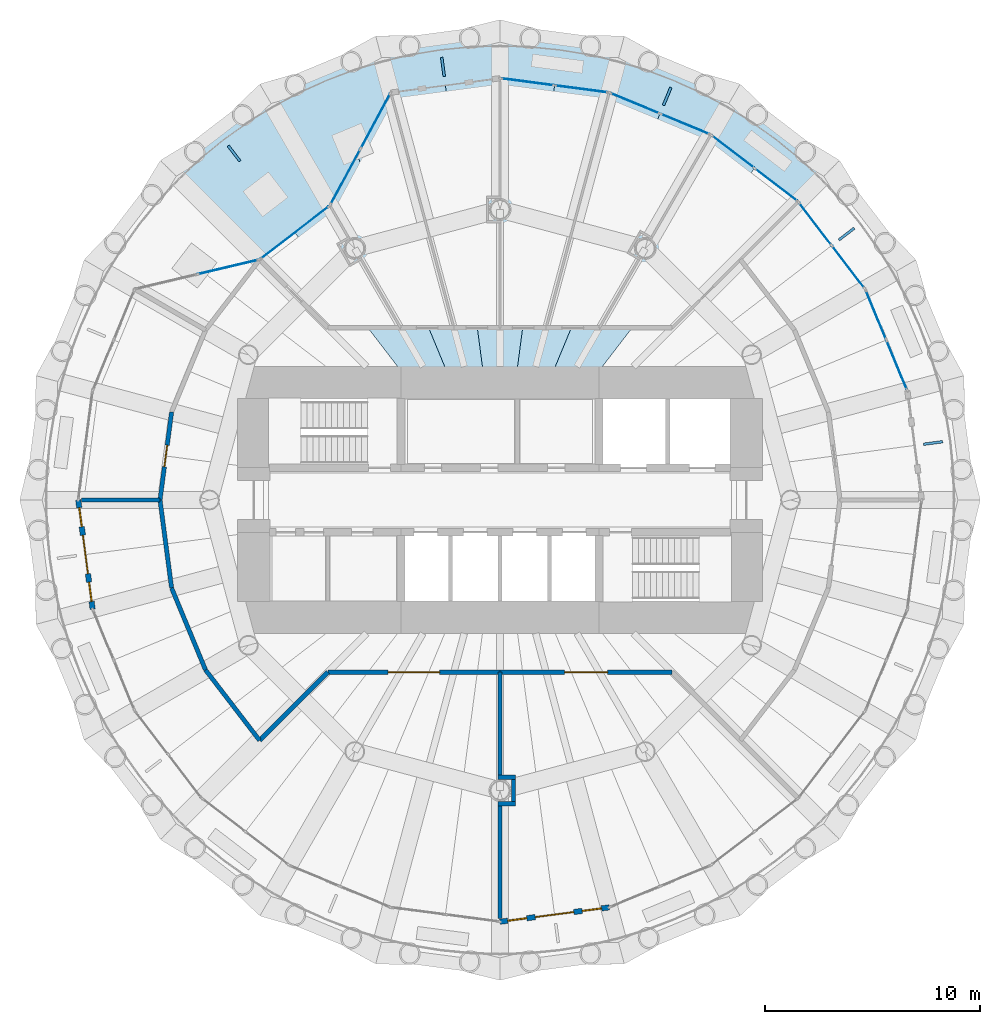
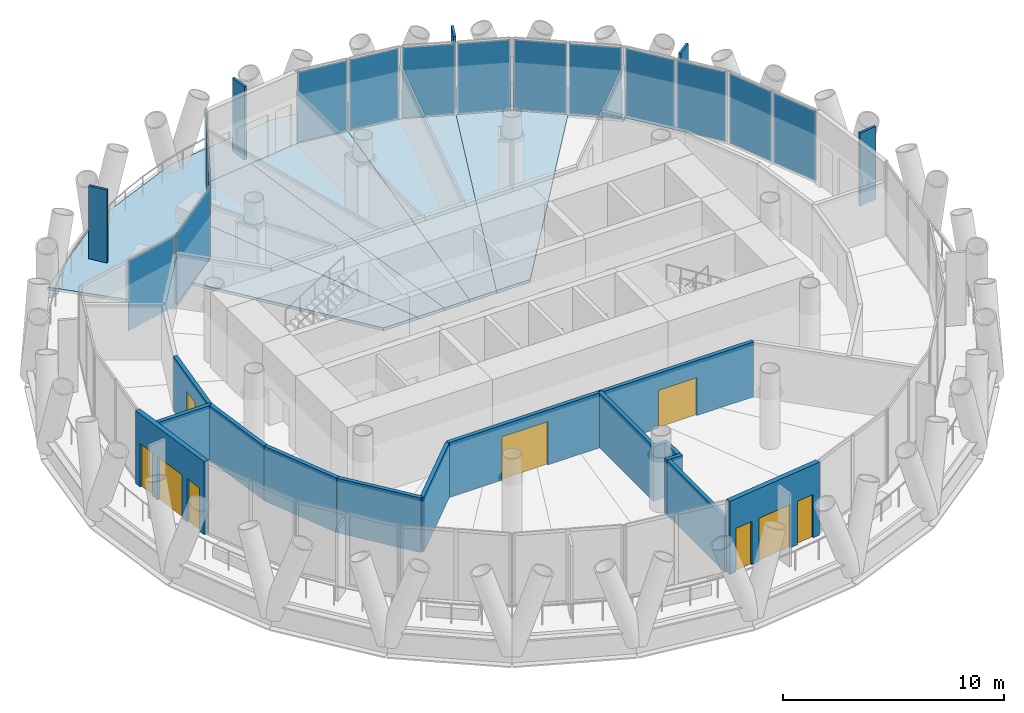
# One storey, part 8 of 14: 19 plates, 15 walls, 6 slabs, 5 doors, 4 windows, 9 openings, 8 elements without a shape of their own.
"""IFC4 building model written with IfcOpenShell, lengths in metres."""

from ifc_helpers import new_model, si_unit, direction, frame, frame_2d, origin, origin_2d, place, context, subcontext, project, spatial, polyline, rectangle, outline, extrude, material, layer, layer_set, type_object, element, fill, aggregate, save


model = new_model("IFC4")

# Units and contexts
model_context = context("Model", 3, precision=1e-05, world=origin(), true_north=direction((0.0, 1.0)))
body_context = subcontext(model_context, "Body", "Model", "MODEL_VIEW")
ifc_project = project(units=[si_unit("LENGTHUNIT", "METRE"), si_unit("AREAUNIT", "SQUARE_METRE"), si_unit("VOLUMEUNIT", "CUBIC_METRE"), si_unit("PLANEANGLEUNIT", "RADIAN"), si_unit("MASSUNIT", "GRAM", prefix="KILO")], contexts=[model_context])

# Site, building, storey
site_placement = place(None, origin())
site = spatial("IfcSite", under=ifc_project, at=site_placement, CompositionType="ELEMENT")
building_placement = place(site_placement, origin())
building = spatial("IfcBuilding", under=site, at=building_placement, Name="Qaws Media Tower", CompositionType="ELEMENT")
storey_placement = place(building_placement, frame((0.0, 0.0, 261.199951171875)))
storey = spatial("IfcBuildingStorey", under=building, at=storey_placement, Name="L60", CompositionType="ELEMENT", Elevation=261.199951171875)

# Slabs
ifc_material_1 = material(Name="Concrete C35/45", Category="concrete")
ifc_layer_1 = layer(ifc_material_1, 0.159912109375)
ifc_layer_set_1 = layer_set([ifc_layer_1], Name="Composite balcony slab 160")
slab_type_1 = type_object("IfcSlabType", Name="Composite balcony slab 160", PredefinedType="FLOOR", material=ifc_layer_set_1)
slab_1_placement = place(storey_placement, frame((0.0, 0.0, -0.159912109375)))
element("IfcSlab", 1, at=slab_1_placement, inside=storey, type_object=slab_type_1, Name="S2 balcony slab L60 R04 to R10, movement joints on R04 and R10", PredefinedType="FLOOR", context=body_context, shape_type="SweptSolid", body=[
    extrude(outline(polyline([(49.10009765625, 68.87939453125), (54.357666015625, 71.05712890625), (60.0, 71.800048828125), (65.642333984375, 71.05712890625), (70.89990234375, 68.87939453125), (75.414794921875, 65.414794921875), (73.859375, 63.859375), (69.800048828125, 66.97412109375), (65.072998046875, 68.93212890625), (60.0, 69.60009765625), (54.927001953125, 68.93212890625), (52.10009765625, 63.68310546875), (48.82763671875, 61.17236328125), (44.585205078125, 65.414794921875), (49.10009765625, 68.87939453125)])), origin(), (0.0, 0.0, 1.0), 0.159912109375),
])
ifc_material_2 = material(Name="Concrete C35/45", Category="concrete")
ifc_layer_2 = layer(ifc_material_2, 0.159912109375)
ifc_layer_set_2 = layer_set([ifc_layer_2], Name="Composite floor slab 160")
slab_type_2 = type_object("IfcSlabType", Name="Composite floor slab 160", PredefinedType="FLOOR", material=ifc_layer_set_2)
slab_2_placement = place(storey_placement, frame((0.0, 0.0, -0.159912109375)))
element("IfcSlab", 2, at=slab_2_placement, inside=storey, type_object=slab_type_2, Name="S1 floor panel L60 on R05", PredefinedType="FLOOR", context=body_context, shape_type="SweptSolid", body=[
    extrude(outline(polyline([(69.800048828125, 66.97412109375), (71.82958984375, 65.416748046875), (63.836669921875, 55.0), (62.071044921875, 55.0), (67.436279296875, 67.953125), (69.800048828125, 66.97412109375)])), origin(), (0.0, 0.0, 1.0), 0.159912109375),
])
slab_3_placement = place(storey_placement, frame((0.0, 0.0, -0.159912109375)))
element("IfcSlab", 3, at=slab_3_placement, inside=storey, type_object=slab_type_2, Name="S1 floor panel L60 on R06", PredefinedType="FLOOR", context=body_context, shape_type="SweptSolid", body=[
    extrude(outline(polyline([(65.072998046875, 68.93212890625), (67.436279296875, 67.953125), (62.071044921875, 55.0), (60.658203125, 55.0), (62.536376953125, 69.26611328125), (65.072998046875, 68.93212890625)])), origin(), (0.0, 0.0, 1.0), 0.159912109375),
])
slab_4_placement = place(storey_placement, frame((0.0, 0.0, -0.159912109375)))
element("IfcSlab", 4, at=slab_4_placement, inside=storey, type_object=slab_type_2, Name="S1 floor panel L60 on R07", PredefinedType="FLOOR", context=body_context, shape_type="SweptSolid", body=[
    extrude(outline(polyline([(60.0, 69.60009765625), (62.536376953125, 69.26611328125), (60.658203125, 55.0), (59.341796875, 55.0), (57.463623046875, 69.26611328125), (60.0, 69.60009765625)])), origin(), (0.0, 0.0, 1.0), 0.159912109375),
])
slab_5_placement = place(storey_placement, frame((0.0, 0.0, -0.159912109375)))
element("IfcSlab", 5, at=slab_5_placement, inside=storey, type_object=slab_type_2, Name="S1 floor panel L60 on R08", PredefinedType="FLOOR", context=body_context, shape_type="SweptSolid", body=[
    extrude(outline(polyline([(54.927001953125, 68.93212890625), (57.463623046875, 69.26611328125), (59.341796875, 55.0), (57.928955078125, 55.0), (53.36181640625, 66.02587890625), (54.927001953125, 68.93212890625)])), origin(), (0.0, 0.0, 1.0), 0.159912109375),
])
slab_6_placement = place(storey_placement, frame((0.0, 0.0, -0.159912109375)))
element("IfcSlab", 6, at=slab_6_placement, inside=storey, type_object=slab_type_2, Name="S1 floor panel L60 on R09", PredefinedType="FLOOR", context=body_context, shape_type="SweptSolid", body=[
    extrude(outline(polyline([(52.10009765625, 63.68310546875), (53.36181640625, 66.02587890625), (57.928955078125, 55.0), (56.163330078125, 55.0), (50.4638671875, 62.427734375), (52.10009765625, 63.68310546875)])), origin(), (0.0, 0.0, 1.0), 0.159912109375),
])

# Curtain wall, plates
ifc_material_3 = material(Name="Aluminium and clear glass", Category="aluminium")
curtain_wall_type_1 = type_object("IfcCurtainWallType", Name="Unitised curtain wall CW-D", PredefinedType="NOTDEFINED", material=ifc_material_3)
curtain_wall_1_placement = place(storey_placement, origin())
curtain_wall_1 = element("IfcCurtainWall", 7, at=curtain_wall_1_placement, inside=storey, type_object=curtain_wall_type_1, Name="CWD curtain wall L60-02", PredefinedType="NOTDEFINED")
ifc_material_4 = material(Name="Clear laminated double glazing", Category="glass")
ifc_layer_3 = layer(ifc_material_4, 0.031982421875)
ifc_layer_set_3 = layer_set([ifc_layer_3], Name="Curtain wall glass unit 32")
plate_type_1 = type_object("IfcPlateType", Name="Curtain wall glass unit 32", PredefinedType="CURTAIN_PANEL", material=ifc_layer_set_3)
plate_1_placement = place(storey_placement, frame((78.43505859375, 56.273193359375, 0.080078125), z_axis=(0.0, 0.0, 1.0), x_axis=(-0.382683365851, 0.923879560063, 0.0)))
plate_1 = element("IfcPlate", 8, at=plate_1_placement, type_object=plate_type_1, Name="CWD panel 1.1", PredefinedType="CURTAIN_PANEL", context=body_context, shape_type="SweptSolid", body=[
    extrude(rectangle(XDim=2.438232421875, YDim=0.031982421875, at=origin_2d()), origin(), (0.0, 0.0, 1.0), 3.8798828125),
])
plate_2_placement = place(storey_placement, frame((77.47119140625, 58.599853515625, 0.080078125), z_axis=(0.0, 0.0, 1.0), x_axis=(-0.382683365851, 0.923879560063, 0.0)))
plate_2 = element("IfcPlate", 9, at=plate_2_placement, type_object=plate_type_1, Name="CWD panel 2.1", PredefinedType="CURTAIN_PANEL", context=body_context, shape_type="SweptSolid", body=[
    extrude(rectangle(XDim=2.438232421875, YDim=0.031982421875, at=origin_2d()), origin(), (0.0, 0.0, 1.0), 3.8798828125),
])
aggregate(curtain_wall_1, [plate_1, plate_2])

curtain_wall_2_placement = place(storey_placement, origin())
curtain_wall_2 = element("IfcCurtainWall", 10, at=curtain_wall_2_placement, inside=storey, type_object=curtain_wall_type_1, Name="CWD curtain wall L60-03", PredefinedType="NOTDEFINED")
plate_3_placement = place(storey_placement, frame((76.18310546875, 60.830810546875, 0.080078125), z_axis=(0.0, 0.0, 1.0), x_axis=(-0.608761420271, 0.793353346996, 0.0)))
plate_3 = element("IfcPlate", 11, at=plate_3_placement, type_object=plate_type_1, Name="CWD panel 1.1", PredefinedType="CURTAIN_PANEL", context=body_context, shape_type="SweptSolid", body=[
    extrude(rectangle(XDim=2.438232421875, YDim=0.031982421875, at=origin_2d()), origin(), (0.0, 0.0, 1.0), 3.8798828125),
])
plate_4_placement = place(storey_placement, frame((74.650146484375, 62.82861328125, 0.080078125), z_axis=(0.0, 0.0, 1.0), x_axis=(-0.608761420271, 0.793353346996, 0.0)))
plate_4 = element("IfcPlate", 12, at=plate_4_placement, type_object=plate_type_1, Name="CWD panel 2.1", PredefinedType="CURTAIN_PANEL", context=body_context, shape_type="SweptSolid", body=[
    extrude(rectangle(XDim=2.438232421875, YDim=0.031982421875, at=origin_2d()), origin(), (0.0, 0.0, 1.0), 3.8798828125),
])
aggregate(curtain_wall_2, [plate_3, plate_4])

curtain_wall_3_placement = place(storey_placement, origin())
curtain_wall_3 = element("IfcCurtainWall", 13, at=curtain_wall_3_placement, inside=storey, type_object=curtain_wall_type_1, Name="CWD curtain wall L60-04", PredefinedType="NOTDEFINED")
plate_5_placement = place(storey_placement, frame((72.82861328125, 64.650146484375, 0.080078125), z_axis=(0.0, 0.0, 1.0), x_axis=(-0.793353346996, 0.608761420271, 0.0)))
plate_5 = element("IfcPlate", 14, at=plate_5_placement, type_object=plate_type_1, Name="CWD panel 1.1", PredefinedType="CURTAIN_PANEL", context=body_context, shape_type="SweptSolid", body=[
    extrude(rectangle(XDim=2.438232421875, YDim=0.031982421875, at=origin_2d()), origin(), (0.0, 0.0, 1.0), 3.8798828125),
])
plate_6_placement = place(storey_placement, frame((70.830810546875, 66.18310546875, 0.080078125), z_axis=(0.0, 0.0, 1.0), x_axis=(-0.793353346996, 0.608761420271, 0.0)))
plate_6 = element("IfcPlate", 15, at=plate_6_placement, type_object=plate_type_1, Name="CWD panel 2.1", PredefinedType="CURTAIN_PANEL", context=body_context, shape_type="SweptSolid", body=[
    extrude(rectangle(XDim=2.438232421875, YDim=0.031982421875, at=origin_2d()), origin(), (0.0, 0.0, 1.0), 3.8798828125),
])
aggregate(curtain_wall_3, [plate_5, plate_6])

curtain_wall_4_placement = place(storey_placement, origin())
curtain_wall_4 = element("IfcCurtainWall", 16, at=curtain_wall_4_placement, inside=storey, type_object=curtain_wall_type_1, Name="CWD curtain wall L60-05", PredefinedType="NOTDEFINED")
plate_7_placement = place(storey_placement, frame((68.599853515625, 67.47119140625, 0.080078125), z_axis=(0.0, 0.0, 1.0), x_axis=(-0.923879560063, 0.382683365851, 0.0)))
plate_7 = element("IfcPlate", 17, at=plate_7_placement, type_object=plate_type_1, Name="CWD panel 1.1", PredefinedType="CURTAIN_PANEL", context=body_context, shape_type="SweptSolid", body=[
    extrude(rectangle(XDim=2.438232421875, YDim=0.031982421875, at=origin_2d()), origin(), (0.0, 0.0, 1.0), 3.8798828125),
])
plate_8_placement = place(storey_placement, frame((66.273193359375, 68.43505859375, 0.080078125), z_axis=(0.0, 0.0, 1.0), x_axis=(-0.923879560063, 0.382683365851, 0.0)))
plate_8 = element("IfcPlate", 18, at=plate_8_placement, type_object=plate_type_1, Name="CWD panel 2.1", PredefinedType="CURTAIN_PANEL", context=body_context, shape_type="SweptSolid", body=[
    extrude(rectangle(XDim=2.438232421875, YDim=0.031982421875, at=origin_2d()), origin(), (0.0, 0.0, 1.0), 3.8798828125),
])
aggregate(curtain_wall_4, [plate_7, plate_8])

curtain_wall_5_placement = place(storey_placement, origin())
curtain_wall_5 = element("IfcCurtainWall", 19, at=curtain_wall_5_placement, inside=storey, type_object=curtain_wall_type_1, Name="CWD curtain wall L60-06", PredefinedType="NOTDEFINED")
plate_9_placement = place(storey_placement, frame((63.784912109375, 69.101806640625, 0.080078125), z_axis=(0.0, 0.0, 1.0), x_axis=(-0.991444855489, 0.130526236916, 0.0)))
plate_9 = element("IfcPlate", 20, at=plate_9_placement, type_object=plate_type_1, Name="CWD panel 1.1", PredefinedType="CURTAIN_PANEL", context=body_context, shape_type="SweptSolid", body=[
    extrude(rectangle(XDim=2.438232421875, YDim=0.031982421875, at=origin_2d()), origin(), (0.0, 0.0, 1.0), 3.8798828125),
])
plate_10_placement = place(storey_placement, frame((61.2880859375, 69.430419921875, 0.080078125), z_axis=(0.0, 0.0, 1.0), x_axis=(-0.991444855489, 0.130526236916, 0.0)))
plate_10 = element("IfcPlate", 21, at=plate_10_placement, type_object=plate_type_1, Name="CWD panel 2.1", PredefinedType="CURTAIN_PANEL", context=body_context, shape_type="SweptSolid", body=[
    extrude(rectangle(XDim=2.438232421875, YDim=0.031982421875, at=origin_2d()), origin(), (0.0, 0.0, 1.0), 3.8798828125),
])
aggregate(curtain_wall_5, [plate_9, plate_10])

ifc_material_5 = material(Name="Aluminium and clear glass", Category="aluminium")
curtain_wall_type_2 = type_object("IfcCurtainWallType", Name="Loggia curtain wall CW-G", PredefinedType="NOTDEFINED", material=ifc_material_5)
curtain_wall_6_placement = place(storey_placement, origin())
curtain_wall_6 = element("IfcCurtainWall", 22, at=curtain_wall_6_placement, inside=storey, type_object=curtain_wall_type_2, Name="CWG curtain wall L60-08", PredefinedType="NOTDEFINED")
plate_11_placement = place(storey_placement, frame((54.2109375, 67.602294921875, 0.080078125), z_axis=(0.0, 0.0, 1.0), x_axis=(-0.474202804112, -0.880415640804, 0.0)))
plate_11 = element("IfcPlate", 23, at=plate_11_placement, type_object=plate_type_1, Name="CWG panel 1.1", PredefinedType="CURTAIN_PANEL", context=body_context, shape_type="SweptSolid", body=[
    extrude(rectangle(XDim=2.86083984375, YDim=0.031982421875, at=origin_2d()), origin(), (0.0, 0.0, 1.0), 3.8798828125),
])
plate_12_placement = place(storey_placement, frame((52.816162109375, 65.012939453125, 0.080078125), z_axis=(0.0, 0.0, 1.0), x_axis=(-0.474202804112, -0.880415640804, 0.0)))
plate_12 = element("IfcPlate", 24, at=plate_12_placement, type_object=plate_type_1, Name="CWG panel 2.1", PredefinedType="CURTAIN_PANEL", context=body_context, shape_type="SweptSolid", body=[
    extrude(rectangle(XDim=2.86083984375, YDim=0.031982421875, at=origin_2d()), origin(), (0.0, 0.0, 1.0), 3.8798828125),
])
aggregate(curtain_wall_6, [plate_11, plate_12])

# Curtain wall, plate
curtain_wall_7_placement = place(storey_placement, origin())
curtain_wall_7 = element("IfcCurtainWall", 25, at=curtain_wall_7_placement, inside=storey, type_object=curtain_wall_type_2, Name="CWG curtain wall L60-09", PredefinedType="NOTDEFINED")
plate_13_placement = place(storey_placement, frame((50.4638671875, 62.427734375, 0.080078125), z_axis=(0.0, 0.0, 1.0), x_axis=(-0.793353355219, -0.608761409554, 0.0)))
plate_13 = element("IfcPlate", 26, at=plate_13_placement, type_object=plate_type_1, Name="CWG panel 1.1", PredefinedType="CURTAIN_PANEL", context=body_context, shape_type="SweptSolid", body=[
    extrude(rectangle(XDim=3.964599609375, YDim=0.031982421875, at=origin_2d()), origin(), (0.0, 0.0, 1.0), 3.8798828125),
])
aggregate(curtain_wall_7, [plate_13])

curtain_wall_8_placement = place(storey_placement, origin())
curtain_wall_8 = element("IfcCurtainWall", 27, at=curtain_wall_8_placement, inside=storey, type_object=curtain_wall_type_2, Name="CWG curtain wall L60-10", PredefinedType="NOTDEFINED")
plate_14_placement = place(storey_placement, frame((47.35791015625, 60.82470703125, 0.080078125), z_axis=(0.0, 0.0, 1.0), x_axis=(-0.973148935934, -0.230176342162, 0.0)))
plate_14 = element("IfcPlate", 28, at=plate_14_placement, type_object=plate_type_1, Name="CWG panel 1.1", PredefinedType="CURTAIN_PANEL", context=body_context, shape_type="SweptSolid", body=[
    extrude(rectangle(XDim=2.86083984375, YDim=0.031982421875, at=origin_2d()), origin(), (0.0, 0.0, 1.0), 3.8798828125),
])
aggregate(curtain_wall_8, [plate_14])

# Plates
ifc_material_6 = material(Name="Precast concrete screen fin", Category="concrete")
ifc_layer_4 = layer(ifc_material_6, 0.1201171875)
ifc_layer_set_4 = layer_set([ifc_layer_4], Name="Screen fin 120x900")
plate_type_2 = type_object("IfcPlateType", Name="Screen fin 120x900", PredefinedType="USERDEFINED", material=ifc_layer_set_4)
for number, where, z_axis, x_axis, name in (
    (29, (80.126220703125, 52.649658203125, 0.0), (0.0, 0.0, 1.0), (0.991444861374, 0.13052619222, 0.0), "SCR1 screen fin L60-01"),
    (30, (76.10498046875, 62.35791015625, 0.0), (0.0, 0.0, 1.0), (0.793353340291, 0.608761429009, 0.0), "SCR1 screen fin L60-02"),
    (31, (67.7685546875, 68.754638671875, 0.0), (0.0, 0.0, 1.0), (0.382683432365, 0.923879532511, 0.0), "SCR1 screen fin L60-03"),
    (32, (57.350341796875, 70.126220703125, 0.0), (0.0, 0.0, 1.0), (-0.13052619222, 0.991444861374, 0.0), "SCR1 screen fin L60-04"),
    (33, (47.64208984375, 66.10498046875, 0.0), (0.0, 0.0, 1.0), (-0.608761429009, 0.793353340291, 0.0), "SCR1 screen fin L60-05"),
):
    element("IfcPlate", number, at=place(storey_placement, frame(where, z_axis=z_axis, x_axis=x_axis)), inside=storey, type_object=plate_type_2, Name=name, ObjectType="SCREEN", PredefinedType="USERDEFINED", context=body_context, shape_type="SweptSolid", body=[
        extrude(rectangle(XDim=0.89990234375, YDim=0.1201171875, at=origin_2d()), origin(), (0.0, 0.0, 1.0), 4.0400390625),
    ])

# Wall, openings, door, windows
ifc_material_7 = material(Name="Precast concrete, exposed finish", Category="concrete")
ifc_layer_5 = layer(ifc_material_7, 0.25)
ifc_layer_set_5 = layer_set([ifc_layer_5], Name="Balcony door wall 250")
wall_type_1 = type_object("IfcWallType", Name="Balcony door wall 250", PredefinedType="SOLIDWALL", material=ifc_layer_set_5)
wall_1_placement = place(storey_placement, frame((40.39990234375, 50.0, 0.0), z_axis=(0.0, 0.0, 1.0), x_axis=(0.130550788349, -0.991441622922, 0.0)))
wall_1 = element("IfcWall", 34, at=wall_1_placement, inside=storey, type_object=wall_type_1, Name="W276 EW1 balcony door wall L60-13", PredefinedType="SOLIDWALL", context=body_context, shape_type="SweptSolid", body=[
    extrude(rectangle(XDim=5.116455078125, YDim=0.25, at=frame_2d((2.55810546875, 0.0))), origin(), (0.0, 0.0, 1.0), 4.0400390625),
])
opening_1_placement = place(wall_1_placement, frame((1.658203125, 0.0, 0.0)))
opening_1 = element("IfcOpeningElement", 35, at=opening_1_placement, cuts=wall_1, Name="Opening D7", PredefinedType="OPENING", context=body_context, shape_type="SweptSolid", body=[
    extrude(rectangle(XDim=1.800048828125, YDim=2.39990234375, at=frame_2d((0.89990234375, 1.199951171875))), frame((0.0, 0.135009765625, 0.0), z_axis=(0.0, -1.0, 0.0), x_axis=(1.0, 0.0, 0.0)), (0.0, 0.0, 1.0), 0.27001953125),
])
opening_2_placement = place(wall_1_placement, frame((0.3583984375, 0.0, 0.0)))
opening_2 = element("IfcOpeningElement", 36, at=opening_2_placement, cuts=wall_1, Name="Opening W7", PredefinedType="OPENING", context=body_context, shape_type="SweptSolid", body=[
    extrude(rectangle(XDim=0.89990234375, YDim=2.39990234375, at=frame_2d((0.449951171875, 1.199951171875))), frame((0.0, 0.135009765625, 0.0), z_axis=(0.0, -1.0, 0.0), x_axis=(1.0, 0.0, 0.0)), (0.0, 0.0, 1.0), 0.27001953125),
])
opening_3_placement = place(wall_1_placement, frame((3.8583984375, 0.0, 0.0)))
opening_3 = element("IfcOpeningElement", 37, at=opening_3_placement, cuts=wall_1, Name="Opening W7", PredefinedType="OPENING", context=body_context, shape_type="SweptSolid", body=[
    extrude(rectangle(XDim=0.89990234375, YDim=2.39990234375, at=frame_2d((0.449951171875, 1.199951171875))), frame((0.0, 0.135009765625, 0.0), z_axis=(0.0, -1.0, 0.0), x_axis=(1.0, 0.0, 0.0)), (0.0, 0.0, 1.0), 0.27001953125),
])
ifc_material_8 = material(Name="Aluminium and clear glass", Category="aluminium")
door_type_1 = type_object("IfcDoorType", Name="Balcony door pair 1800", OperationType="DOUBLE_DOOR_SLIDING", PredefinedType="DOOR", material=ifc_material_8)
door_1_placement = place(opening_1_placement, origin())
door_1 = element("IfcDoor", 38, at=door_1_placement, inside=storey, type_object=door_type_1, Name="D7 balcony door L60-13 in wall W276", OperationType="DOUBLE_DOOR_SLIDING", OverallHeight=2.39990234375, OverallWidth=1.800048828125, PredefinedType="DOOR", context=body_context, shape_type="SweptSolid", body=[
    extrude(rectangle(XDim=1.800048828125, YDim=2.39990234375, at=frame_2d((0.89990234375, 1.199951171875))), frame((0.0, 0.02490234375, 0.0), z_axis=(0.0, -1.0, 0.0), x_axis=(1.0, 0.0, 0.0)), (0.0, 0.0, 1.0), 0.050048828125),
])
fill(opening_1, door_1)
ifc_material_9 = material(Name="Aluminium and clear glass", Category="aluminium")
window_type = type_object("IfcWindowType", Name="Balcony side window 900", PartitioningType="SINGLE_PANEL", PredefinedType="WINDOW", material=ifc_material_9)
window_1_placement = place(opening_2_placement, origin())
window_1 = element("IfcWindow", 39, at=window_1_placement, inside=storey, type_object=window_type, Name="W1 balcony side light L60-13L", OverallHeight=2.39990234375, OverallWidth=0.89990234375, PartitioningType="SINGLE_PANEL", PredefinedType="WINDOW", context=body_context, shape_type="SweptSolid", body=[
    extrude(rectangle(XDim=0.89990234375, YDim=2.39990234375, at=frame_2d((0.449951171875, 1.199951171875))), frame((0.0, 0.030029296875, 0.0), z_axis=(0.0, -1.0, 0.0), x_axis=(1.0, 0.0, 0.0)), (0.0, 0.0, 1.0), 0.06005859375),
])
fill(opening_2, window_1)
window_2_placement = place(opening_3_placement, origin())
window_2 = element("IfcWindow", 40, at=window_2_placement, inside=storey, type_object=window_type, Name="W1 balcony side light L60-13R", OverallHeight=2.39990234375, OverallWidth=0.89990234375, PartitioningType="SINGLE_PANEL", PredefinedType="WINDOW", context=body_context, shape_type="SweptSolid", body=[
    extrude(rectangle(XDim=0.89990234375, YDim=2.39990234375, at=frame_2d((0.449951171875, 1.199951171875))), frame((0.0, 0.030029296875, 0.0), z_axis=(0.0, -1.0, 0.0), x_axis=(1.0, 0.0, 0.0)), (0.0, 0.0, 1.0), 0.06005859375),
])
fill(opening_3, window_2)

wall_2_placement = place(storey_placement, frame((60.0, 30.39990234375, 0.0), z_axis=(0.0, 0.0, 1.0), x_axis=(0.991441622922, 0.130550788349, 0.0)))
wall_2 = element("IfcWall", 41, at=wall_2_placement, inside=storey, type_object=wall_type_1, Name="W277 EW1 balcony door wall L60-19", PredefinedType="SOLIDWALL", context=body_context, shape_type="SweptSolid", body=[
    extrude(rectangle(XDim=5.116455078125, YDim=0.25, at=frame_2d((2.55810546875, 0.0))), origin(), (0.0, 0.0, 1.0), 4.0400390625),
])
opening_4_placement = place(wall_2_placement, frame((1.658203125, 0.0, 0.0)))
opening_4 = element("IfcOpeningElement", 42, at=opening_4_placement, cuts=wall_2, Name="Opening D7", PredefinedType="OPENING", context=body_context, shape_type="SweptSolid", body=[
    extrude(rectangle(XDim=1.800048828125, YDim=2.39990234375, at=frame_2d((0.89990234375, 1.199951171875))), frame((0.0, 0.135009765625, 0.0), z_axis=(0.0, -1.0, 0.0), x_axis=(1.0, 0.0, 0.0)), (0.0, 0.0, 1.0), 0.27001953125),
])
opening_5_placement = place(wall_2_placement, frame((0.3583984375, 0.0, 0.0)))
opening_5 = element("IfcOpeningElement", 43, at=opening_5_placement, cuts=wall_2, Name="Opening W7", PredefinedType="OPENING", context=body_context, shape_type="SweptSolid", body=[
    extrude(rectangle(XDim=0.89990234375, YDim=2.39990234375, at=frame_2d((0.449951171875, 1.199951171875))), frame((0.0, 0.135009765625, 0.0), z_axis=(0.0, -1.0, 0.0), x_axis=(1.0, 0.0, 0.0)), (0.0, 0.0, 1.0), 0.27001953125),
])
opening_6_placement = place(wall_2_placement, frame((3.8583984375, 0.0, 0.0)))
opening_6 = element("IfcOpeningElement", 44, at=opening_6_placement, cuts=wall_2, Name="Opening W7", PredefinedType="OPENING", context=body_context, shape_type="SweptSolid", body=[
    extrude(rectangle(XDim=0.89990234375, YDim=2.39990234375, at=frame_2d((0.449951171875, 1.199951171875))), frame((0.0, 0.135009765625, 0.0), z_axis=(0.0, -1.0, 0.0), x_axis=(1.0, 0.0, 0.0)), (0.0, 0.0, 1.0), 0.27001953125),
])
door_2_placement = place(opening_4_placement, origin())
door_2 = element("IfcDoor", 45, at=door_2_placement, inside=storey, type_object=door_type_1, Name="D7 balcony door L60-19 in wall W277", OperationType="DOUBLE_DOOR_SLIDING", OverallHeight=2.39990234375, OverallWidth=1.800048828125, PredefinedType="DOOR", context=body_context, shape_type="SweptSolid", body=[
    extrude(rectangle(XDim=1.800048828125, YDim=2.39990234375, at=frame_2d((0.89990234375, 1.199951171875))), frame((0.0, 0.02490234375, 0.0), z_axis=(0.0, -1.0, 0.0), x_axis=(1.0, 0.0, 0.0)), (0.0, 0.0, 1.0), 0.050048828125),
])
fill(opening_4, door_2)
window_3_placement = place(opening_5_placement, origin())
window_3 = element("IfcWindow", 46, at=window_3_placement, inside=storey, type_object=window_type, Name="W1 balcony side light L60-19L", OverallHeight=2.39990234375, OverallWidth=0.89990234375, PartitioningType="SINGLE_PANEL", PredefinedType="WINDOW", context=body_context, shape_type="SweptSolid", body=[
    extrude(rectangle(XDim=0.89990234375, YDim=2.39990234375, at=frame_2d((0.449951171875, 1.199951171875))), frame((0.0, 0.030029296875, 0.0), z_axis=(0.0, -1.0, 0.0), x_axis=(1.0, 0.0, 0.0)), (0.0, 0.0, 1.0), 0.06005859375),
])
fill(opening_5, window_3)
window_4_placement = place(opening_6_placement, origin())
window_4 = element("IfcWindow", 47, at=window_4_placement, inside=storey, type_object=window_type, Name="W1 balcony side light L60-19R", OverallHeight=2.39990234375, OverallWidth=0.89990234375, PartitioningType="SINGLE_PANEL", PredefinedType="WINDOW", context=body_context, shape_type="SweptSolid", body=[
    extrude(rectangle(XDim=0.89990234375, YDim=2.39990234375, at=frame_2d((0.449951171875, 1.199951171875))), frame((0.0, 0.030029296875, 0.0), z_axis=(0.0, -1.0, 0.0), x_axis=(1.0, 0.0, 0.0)), (0.0, 0.0, 1.0), 0.06005859375),
])
fill(opening_6, window_4)

# Walls
ifc_material_10 = material(Name="Gypsum board on galvanised metal studs, acoustic double stud, deflection head", Category="gypsum")
ifc_layer_6 = layer(ifc_material_10, 0.199951171875)
ifc_layer_set_6 = layer_set([ifc_layer_6], Name="Room partition 200")
wall_type_2 = type_object("IfcWallType", Name="Room partition 200", PredefinedType="PARTITIONING", material=ifc_layer_set_6)
wall_3_placement = place(storey_placement, frame((52.0, 42.0, 0.0), z_axis=(0.0, 0.0, 1.0), x_axis=(-0.707106781187, -0.707106781187, 0.0)))
element("IfcWall", 48, at=wall_3_placement, inside=storey, type_object=wall_type_2, Name="W1716 IW3 partition L60", PredefinedType="PARTITIONING", context=body_context, shape_type="SweptSolid", body=[
    extrude(rectangle(XDim=4.486328125, YDim=0.199951171875, at=frame_2d((2.2431640625, 0.0))), origin(), (0.0, 0.0, 1.0), 3.02001953125),
])
wall_4_placement = place(storey_placement, frame((48.82763671875, 38.82763671875, 0.0), z_axis=(0.0, 0.0, 1.0), x_axis=(-0.608714823874, 0.793389099494, 0.0)))
element("IfcWall", 49, at=wall_4_placement, inside=storey, type_object=wall_type_2, Name="W1714 IW3 partition L60", PredefinedType="PARTITIONING", context=body_context, shape_type="SweptSolid", body=[
    extrude(rectangle(XDim=4.124755859375, YDim=0.199951171875, at=frame_2d((2.0625, 0.0))), origin(), (0.0, 0.0, 1.0), 3.02001953125),
])
wall_5_placement = place(storey_placement, frame((46.31689453125, 42.10009765625, 0.0), z_axis=(0.0, 0.0, 1.0), x_axis=(-0.382731667114, 0.923859551549, 0.0)))
element("IfcWall", 50, at=wall_5_placement, inside=storey, type_object=wall_type_2, Name="W1711 IW3 partition L60", PredefinedType="PARTITIONING", context=body_context, shape_type="SweptSolid", body=[
    extrude(rectangle(XDim=4.12451171875, YDim=0.199951171875, at=frame_2d((2.062255859375, 0.0))), origin(), (0.0, 0.0, 1.0), 3.02001953125),
])
wall_6_placement = place(storey_placement, frame((44.73828125, 45.91064453125, 0.0), z_axis=(0.0, 0.0, 1.0), x_axis=(-0.130515758099, 0.991446234996, 0.0)))
element("IfcWall", 51, at=wall_6_placement, inside=storey, type_object=wall_type_2, Name="W1709 IW3 partition L60", PredefinedType="PARTITIONING", context=body_context, shape_type="SweptSolid", body=[
    extrude(rectangle(XDim=4.124755859375, YDim=0.199951171875, at=frame_2d((2.0625, 0.0))), origin(), (0.0, 0.0, 1.0), 3.02001953125),
])

# Wall, opening, door
wall_7_placement = place(storey_placement, frame((44.199951171875, 50.0, 0.0), z_axis=(0.0, 0.0, 1.0), x_axis=(0.130515758099, 0.991446234996, 0.0)))
wall_7 = element("IfcWall", 52, at=wall_7_placement, inside=storey, type_object=wall_type_2, Name="W1708 IW3 partition L60", PredefinedType="PARTITIONING", context=body_context, shape_type="SweptSolid", body=[
    extrude(rectangle(XDim=4.124755859375, YDim=0.199951171875, at=frame_2d((2.0625, 0.0))), origin(), (0.0, 0.0, 1.0), 3.02001953125),
])
opening_7_placement = place(wall_7_placement, frame((1.562255859375, 0.0, 0.0)))
opening_7 = element("IfcOpeningElement", 53, at=opening_7_placement, cuts=wall_7, Name="Opening D5", PredefinedType="OPENING", context=body_context, shape_type="SweptSolid", body=[
    extrude(rectangle(XDim=1.0, YDim=2.10009765625, at=frame_2d((0.5, 1.050048828125))), frame((0.0, 0.10986328125, 0.0), z_axis=(0.0, -1.0, 0.0), x_axis=(1.0, 0.0, 0.0)), (0.0, 0.0, 1.0), 0.219970703125),
])
ifc_material_11 = material(Name="Timber veneered, acoustic seal", Category="wood")
door_type_2 = type_object("IfcDoorType", Name="Room door 1000", OperationType="SINGLE_SWING_LEFT", PredefinedType="DOOR", material=ifc_material_11)
door_3_placement = place(opening_7_placement, origin())
door_3 = element("IfcDoor", 54, at=door_3_placement, inside=storey, type_object=door_type_2, Name="D5 Executive meeting room door L60 in wall W1708", OperationType="SINGLE_SWING_LEFT", OverallHeight=2.10009765625, OverallWidth=1.0, PredefinedType="DOOR", context=body_context, shape_type="SweptSolid", body=[
    extrude(rectangle(XDim=1.0, YDim=2.10009765625, at=frame_2d((0.5, 1.050048828125))), frame((0.0, 0.02490234375, 0.0), z_axis=(0.0, -1.0, 0.0), x_axis=(1.0, 0.0, 0.0)), (0.0, 0.0, 1.0), 0.050048828125),
])
fill(opening_7, door_3)

wall_8_placement = place(storey_placement, frame((68.0, 42.0, 0.0), z_axis=(0.0, 0.0, 1.0), x_axis=(-1.0, 0.0, 0.0)))
wall_8 = element("IfcWall", 55, at=wall_8_placement, inside=storey, type_object=wall_type_2, Name="W1727 IW3 partition L60", PredefinedType="PARTITIONING", context=body_context, shape_type="SweptSolid", body=[
    extrude(rectangle(XDim=8.0, YDim=0.199951171875, at=frame_2d((4.0, 0.0))), origin(), (0.0, 0.0, 1.0), 3.0400390625),
])
opening_8_placement = place(wall_8_placement, frame((3.0, 0.0, 0.0)))
opening_8 = element("IfcOpeningElement", 56, at=opening_8_placement, cuts=wall_8, Name="Opening D6", PredefinedType="OPENING", context=body_context, shape_type="SweptSolid", body=[
    extrude(rectangle(XDim=2.0, YDim=2.10009765625, at=frame_2d((1.0, 1.050048828125))), frame((0.0, 0.10986328125, 0.0), z_axis=(0.0, -1.0, 0.0), x_axis=(1.0, 0.0, 0.0)), (0.0, 0.0, 1.0), 0.219970703125),
])
ifc_material_12 = material(Name="Steel, acoustic, fire rated", Category="steel")
door_type_3 = type_object("IfcDoorType", Name="Room door pair 2000", OperationType="DOUBLE_DOOR_DOUBLE_SWING", PredefinedType="DOOR", material=ifc_material_12)
door_4_placement = place(opening_8_placement, origin())
door_4 = element("IfcDoor", 57, at=door_4_placement, inside=storey, type_object=door_type_3, Name="D6 Executive library door L60 in wall W1727", OperationType="DOUBLE_DOOR_DOUBLE_SWING", OverallHeight=2.10009765625, OverallWidth=2.0, PredefinedType="DOOR", context=body_context, shape_type="SweptSolid", body=[
    extrude(rectangle(XDim=2.0, YDim=2.10009765625, at=frame_2d((1.0, 1.050048828125))), frame((0.0, 0.02490234375, 0.0), z_axis=(0.0, -1.0, 0.0), x_axis=(1.0, 0.0, 0.0)), (0.0, 0.0, 1.0), 0.050048828125),
])
fill(opening_8, door_4)

wall_9_placement = place(storey_placement, frame((60.0, 42.0, 0.0), z_axis=(0.0, 0.0, 1.0), x_axis=(-1.0, 0.0, 0.0)))
wall_9 = element("IfcWall", 58, at=wall_9_placement, inside=storey, type_object=wall_type_2, Name="W1721 IW3 partition L60", PredefinedType="PARTITIONING", context=body_context, shape_type="SweptSolid", body=[
    extrude(rectangle(XDim=8.0, YDim=0.199951171875, at=frame_2d((4.0, 0.0))), origin(), (0.0, 0.0, 1.0), 3.0400390625),
])
opening_9_placement = place(wall_9_placement, frame((2.800048828125, 0.0, 0.0)))
opening_9 = element("IfcOpeningElement", 59, at=opening_9_placement, cuts=wall_9, Name="Opening D17", PredefinedType="OPENING", context=body_context, shape_type="SweptSolid", body=[
    extrude(rectangle(XDim=2.39990234375, YDim=2.39990234375, at=frame_2d((1.199951171875, 1.199951171875))), frame((0.0, 0.10986328125, 0.0), z_axis=(0.0, -1.0, 0.0), x_axis=(1.0, 0.0, 0.0)), (0.0, 0.0, 1.0), 0.219970703125),
])
ifc_material_13 = material(Name="Timber veneered, panic hardware", Category="wood")
door_type_4 = type_object("IfcDoorType", Name="Assembly room door pair 2400x2400", OperationType="DOUBLE_DOOR_DOUBLE_SWING", PredefinedType="DOOR", material=ifc_material_13)
door_5_placement = place(opening_9_placement, origin())
door_5 = element("IfcDoor", 60, at=door_5_placement, inside=storey, type_object=door_type_4, Name="D17 Executive lounge door L60 in wall W1721", OperationType="DOUBLE_DOOR_DOUBLE_SWING", OverallHeight=2.39990234375, OverallWidth=2.39990234375, PredefinedType="DOOR", context=body_context, shape_type="SweptSolid", body=[
    extrude(rectangle(XDim=2.39990234375, YDim=2.39990234375, at=frame_2d((1.199951171875, 1.199951171875))), frame((0.0, 0.02490234375, 0.0), z_axis=(0.0, -1.0, 0.0), x_axis=(1.0, 0.0, 0.0)), (0.0, 0.0, 1.0), 0.050048828125),
])
fill(opening_9, door_5)

# Walls
wall_10_placement = place(storey_placement, frame((44.199951171875, 50.0, 0.0), z_axis=(0.0, 0.0, 1.0), x_axis=(-1.0, 0.0, 0.0)))
element("IfcWall", 61, at=wall_10_placement, inside=storey, type_object=wall_type_2, Name="W1707 IW3 partition L60", PredefinedType="PARTITIONING", context=body_context, shape_type="SweptSolid", body=[
    extrude(rectangle(XDim=3.659912109375, YDim=0.199951171875, at=frame_2d((1.830078125, 0.0))), origin(), (0.0, 0.0, 1.0), 3.02001953125),
])
for number, where, z_axis, x_axis, name in (
    (62, (59.89990234375, 37.116943359375, 0.0), (0.0, 0.0, 1.0), (1.0, 0.0, 0.0), "W1572 IW3 partition return L60"),
    (63, (59.89990234375, 35.883056640625, 0.0), (0.0, 0.0, 1.0), (1.0, 0.0, 0.0), "W1571 IW3 partition return L60"),
):
    element("IfcWall", number, at=place(storey_placement, frame(where, z_axis=z_axis, x_axis=x_axis)), inside=storey, type_object=wall_type_2, Name=name, PredefinedType="PARTITIONING", context=body_context, shape_type="SweptSolid", body=[
        extrude(rectangle(XDim=0.8271484375, YDim=0.199951171875, at=frame_2d((0.41357421875, 0.0))), origin(), (0.0, 0.0, 1.0), 3.02001953125),
    ])
wall_11_placement = place(storey_placement, frame((60.626953125, 37.01708984375, 0.0), z_axis=(0.0, 0.0, 1.0), x_axis=(0.0, -1.0, 0.0)))
element("IfcWall", 64, at=wall_11_placement, inside=storey, type_object=wall_type_2, Name="W1575 IW3 partition return L60", PredefinedType="PARTITIONING", context=body_context, shape_type="SweptSolid", body=[
    extrude(rectangle(XDim=1.0341796875, YDim=0.199951171875, at=frame_2d((0.51708984375, 0.0))), origin(), (0.0, 0.0, 1.0), 3.02001953125),
])
wall_12_placement = place(storey_placement, frame((60.0, 42.0, 0.0), z_axis=(0.0, 0.0, 1.0), x_axis=(0.0, -1.0, 0.0)))
element("IfcWall", 65, at=wall_12_placement, inside=storey, type_object=wall_type_2, Name="W1722 IW3 partition L60", PredefinedType="PARTITIONING", context=body_context, shape_type="SweptSolid", body=[
    extrude(rectangle(XDim=4.782958984375, YDim=0.199951171875, at=frame_2d((2.3916015625, 0.0))), origin(), (0.0, 0.0, 1.0), 3.0400390625),
])
wall_13_placement = place(storey_placement, frame((60.0, 35.782958984375, 0.0), z_axis=(0.0, 0.0, 1.0), x_axis=(0.0, -1.0, 0.0)))
element("IfcWall", 66, at=wall_13_placement, inside=storey, type_object=wall_type_2, Name="W1720 IW3 partition L60", PredefinedType="PARTITIONING", context=body_context, shape_type="SweptSolid", body=[
    extrude(rectangle(XDim=5.242919921875, YDim=0.199951171875, at=frame_2d((2.62158203125, 0.0))), origin(), (0.0, 0.0, 1.0), 3.02001953125),
])

save(model, "model.ifc")
